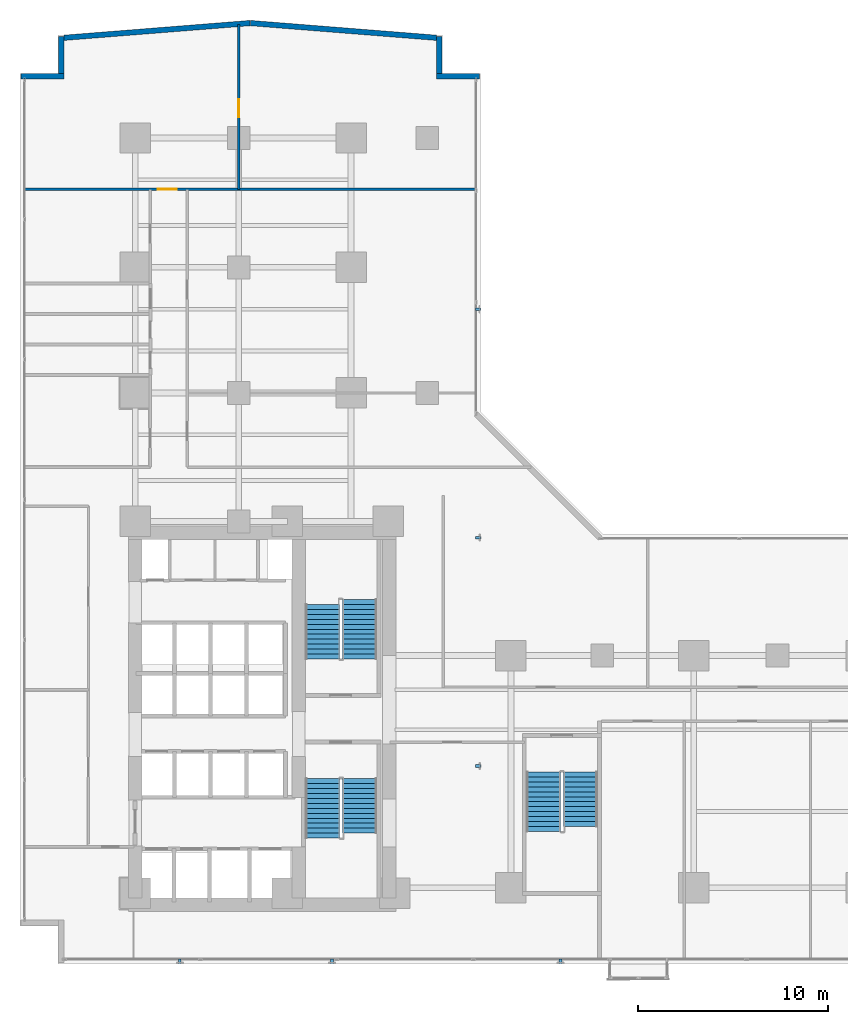
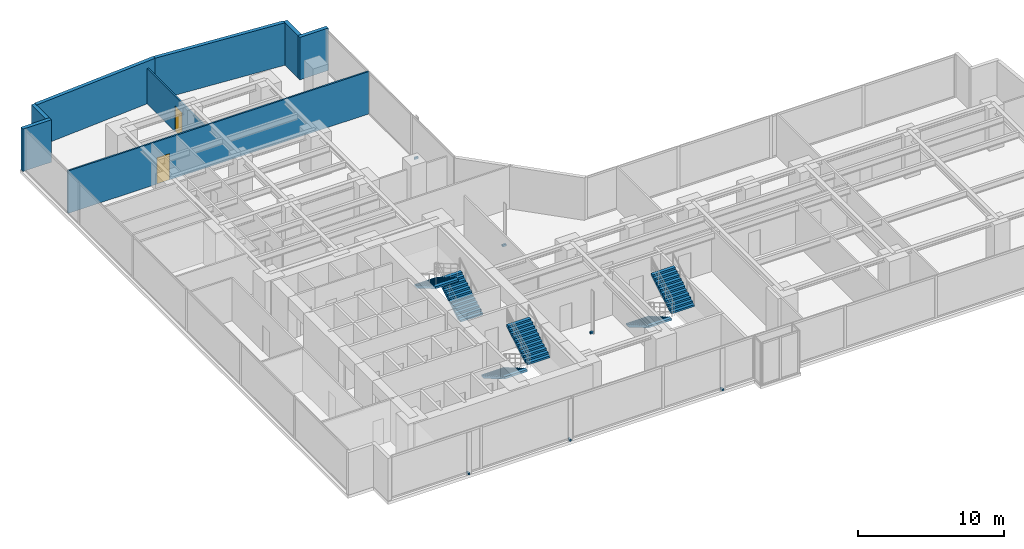
# One storey, part 26 of 31: 8 walls, 6 discrete accessories, 6 stair flights, 2 doors, 2 openings, 3 elements without a shape of their own.
"""IFC4 building model written with IfcOpenShell, lengths in metres."""

from ifc_helpers import new_model, si_unit, direction, frame, frame_2d, origin, origin_with_axes, origin_2d, place, context, subcontext, project, spatial, polyline, rectangle, outline, extrude, source, transform, mapped, material, layer, layer_set, type_object, element, fill, aggregate, save


model = new_model("IFC4")

# Units and contexts
model_context = context("Model", 3, precision=1e-05, world=origin(), true_north=direction((0.0, 1.0)))
body_context = subcontext(model_context, "Body", "Model", "MODEL_VIEW")
ifc_project = project(units=[si_unit("LENGTHUNIT", "METRE"), si_unit("AREAUNIT", "SQUARE_METRE"), si_unit("VOLUMEUNIT", "CUBIC_METRE"), si_unit("PLANEANGLEUNIT", "RADIAN"), si_unit("MASSUNIT", "GRAM", prefix="KILO")], contexts=[model_context])

# Site, building, storey
site_placement = place(None, origin())
site = spatial("IfcSite", under=ifc_project, at=site_placement, CompositionType="ELEMENT")
building_placement = place(site_placement, origin())
building = spatial("IfcBuilding", under=site, at=building_placement, Name="Kolvaren Waterfront Exchange", CompositionType="ELEMENT")
storey_placement = place(building_placement, frame((0.0, 0.0, 67.60009765625)))
storey = spatial("IfcBuildingStorey", under=building, at=storey_placement, Name="L17", CompositionType="ELEMENT", Elevation=67.60009765625)

# Walls
ifc_material_1 = material(Name="Precast concrete C40/50", Category="concrete")
ifc_layer_1 = layer(ifc_material_1, 0.280029296875, Name="Precast concrete C40/50")
ifc_layer_set_1 = layer_set([ifc_layer_1], Name="Precast concrete C40/50")
wall_type_1 = type_object("IfcWallType", Name="ARC-EXT-TERR-280", PredefinedType="SOLIDWALL", material=ifc_layer_set_1)
wall_1_placement = place(storey_placement, frame((23.300048828125, 47.840087890625, 0.0), z_axis=(0.0, 0.0, 1.0), x_axis=(1.0, 0.0, 0.0)))
element("IfcWall", 1, at=wall_1_placement, inside=storey, type_object=wall_type_1, Name="L17 notched corner spandrel pier NNE-A", PredefinedType="SOLIDWALL", context=body_context, shape_type="SweptSolid", body=[
    extrude(rectangle(XDim=2.239990234375, YDim=0.280029296875, at=frame_2d((1.1201171875, 0.0))), origin(), (0.0, 0.0, 1.0), 3.539794921875),
])
wall_2_placement = place(storey_placement, frame((23.43994140625, 47.97998046875, 0.0), z_axis=(0.0, 0.0, 1.0), x_axis=(0.0, 1.0, 0.0)))
element("IfcWall", 2, at=wall_2_placement, inside=storey, type_object=wall_type_1, Name="L17 notched corner spandrel pier NNE-B", PredefinedType="SOLIDWALL", context=body_context, shape_type="SweptSolid", body=[
    extrude(rectangle(XDim=1.9599609375, YDim=0.280029296875, at=frame_2d((0.97998046875, 0.0))), origin(), (0.0, 0.0, 1.0), 3.539794921875),
])
wall_3_placement = place(storey_placement, frame((1.4599609375, 47.840087890625, 0.0), z_axis=(0.0, 0.0, 1.0), x_axis=(1.0, 0.0, 0.0)))
element("IfcWall", 3, at=wall_3_placement, inside=storey, type_object=wall_type_1, Name="L17 notched corner spandrel pier NW-A", PredefinedType="SOLIDWALL", context=body_context, shape_type="SweptSolid", body=[
    extrude(rectangle(XDim=2.239990234375, YDim=0.280029296875, at=frame_2d((1.1201171875, 0.0))), origin(), (0.0, 0.0, 1.0), 3.539794921875),
])
wall_4_placement = place(storey_placement, frame((3.56005859375, 47.97998046875, 0.0), z_axis=(0.0, 0.0, 1.0), x_axis=(0.0, 1.0, 0.0)))
element("IfcWall", 4, at=wall_4_placement, inside=storey, type_object=wall_type_1, Name="L17 notched corner spandrel pier NW-B", PredefinedType="SOLIDWALL", context=body_context, shape_type="SweptSolid", body=[
    extrude(rectangle(XDim=1.9599609375, YDim=0.280029296875, at=frame_2d((0.97998046875, 0.0))), origin(), (0.0, 0.0, 1.0), 3.539794921875),
])
for number, where, z_axis, x_axis, name in (
    (5, (23.288330078125, 49.8642578125, 0.0), (0.0, 0.0, 1.0), (-0.996878337682, 0.078953023125, 0.0), "L17 north prow faceted facade wall 1"),
    (6, (13.49267578125, 50.638916015625, 0.0), (0.0, 0.0, 1.0), (-0.996878337682, -0.078953023125, 0.0), "L17 north prow faceted facade wall 2"),
):
    element("IfcWall", number, at=place(storey_placement, frame(where, z_axis=z_axis, x_axis=x_axis)), inside=storey, type_object=wall_type_1, Name=name, PredefinedType="SOLIDWALL", context=body_context, shape_type="SweptSolid", body=[
        extrude(rectangle(XDim=9.8115234375, YDim=0.280029296875, at=frame_2d((4.90576171875, 0.0))), origin(), (0.0, 0.0, 1.0), 3.539794921875),
    ])

# Wall, opening, door
ifc_material_2 = material(Name="Acoustic gypsum steel stud", Category="steel")
ifc_layer_2 = layer(ifc_material_2, 0.125, Name="Acoustic gypsum steel stud")
ifc_layer_set_2 = layer_set([ifc_layer_2], Name="Acoustic gypsum steel stud")
wall_type_2 = type_object("IfcWallType", Name="ARC-PART-125", PredefinedType="PARTITIONING", material=ifc_layer_set_2)
wall_5_placement = place(storey_placement, frame((1.639892578125, 41.89990234375, 0.0), z_axis=(0.0, 0.0, 1.0), x_axis=(1.0, 0.0, 0.0)))
wall_5 = element("IfcWall", 7, at=wall_5_placement, inside=storey, type_object=wall_type_2, Name="L17 interior wall PW-L17-NTIP-S", PredefinedType="PARTITIONING", context=body_context, shape_type="SweptSolid", body=[
    extrude(rectangle(XDim=23.72021484375, YDim=0.125, at=frame_2d((11.860107421875, 0.0))), origin(), (0.0, 0.0, 1.0), 3.539794921875),
])
opening_1_placement = place(wall_5_placement, frame((7.010009765625, 0.0, 0.0)))
opening_1 = element("IfcOpeningElement", 8, at=opening_1_placement, cuts=wall_5, Name="Opening D03", PredefinedType="OPENING", context=body_context, shape_type="SweptSolid", body=[
    extrude(rectangle(XDim=1.0, YDim=2.199951171875, at=frame_2d((0.5, 1.10009765625))), frame((0.0, 0.072509765625, 0.0), z_axis=(0.0, -1.0, 0.0), x_axis=(1.0, 0.0, 0.0)), (0.0, 0.0, 1.0), 0.14501953125),
])
ifc_material_3 = material(Name="Oak veneer accessible timber", Category="wood")
door_type_1 = type_object("IfcDoorType", Name="ARC-DR-1000", OperationType="NOTDEFINED", PredefinedType="DOOR", material=ifc_material_3)
door_1_placement = place(opening_1_placement, origin())
door_1 = element("IfcDoor", 9, at=door_1_placement, inside=storey, type_object=door_type_1, Name="L17 door DR-L17-NTIPW-D (D03)", OperationType="SINGLE_SWING_RIGHT", OverallHeight=2.199951171875, OverallWidth=1.0, PredefinedType="DOOR", context=body_context, shape_type="SweptSolid", body=[
    extrude(rectangle(XDim=1.0, YDim=2.199951171875, at=frame_2d((0.5, 1.10009765625))), frame((0.0, 0.02490234375, 0.0), z_axis=(0.0, -1.0, 0.0), x_axis=(1.0, 0.0, 0.0)), (0.0, 0.0, 1.0), 0.050048828125),
])
fill(opening_1, door_1)

wall_6_placement = place(storey_placement, frame((12.89990234375, 41.89990234375, 0.0), z_axis=(0.0, 0.0, 1.0), x_axis=(0.0, 1.0, 0.0)))
wall_6 = element("IfcWall", 10, at=wall_6_placement, inside=storey, type_object=wall_type_2, Name="L17 interior wall PW-L17-NTIP-DIV", PredefinedType="PARTITIONING", context=body_context, shape_type="SweptSolid", body=[
    extrude(rectangle(XDim=8.66015625, YDim=0.125, at=frame_2d((4.330078125, 0.0))), origin(), (0.0, 0.0, 1.0), 2.93994140625),
])
opening_2_placement = place(wall_6_placement, frame((3.77880859375, 0.0, 0.0)))
opening_2 = element("IfcOpeningElement", 11, at=opening_2_placement, cuts=wall_6, Name="Opening D02", PredefinedType="OPENING", context=body_context, shape_type="SweptSolid", body=[
    extrude(rectangle(XDim=0.949951171875, YDim=2.14990234375, at=frame_2d((0.47509765625, 1.074951171875))), frame((0.0, 0.072509765625, 0.0), z_axis=(0.0, -1.0, 0.0), x_axis=(1.0, 0.0, 0.0)), (0.0, 0.0, 1.0), 0.14501953125),
])
ifc_material_4 = material(Name="Oak veneer acoustic timber", Category="wood")
door_type_2 = type_object("IfcDoorType", Name="ARC-DR-950", OperationType="NOTDEFINED", PredefinedType="DOOR", material=ifc_material_4)
door_2_placement = place(opening_2_placement, origin())
door_2 = element("IfcDoor", 12, at=door_2_placement, inside=storey, type_object=door_type_2, Name="L17 door DR-L17-NTIPE-D (D02)", OperationType="SINGLE_SWING_LEFT", OverallHeight=2.14990234375, OverallWidth=0.949951171875, PredefinedType="DOOR", context=body_context, shape_type="SweptSolid", body=[
    extrude(rectangle(XDim=0.949951171875, YDim=2.14990234375, at=frame_2d((0.47509765625, 1.074951171875))), frame((0.0, 0.02490234375, 0.0), z_axis=(0.0, -1.0, 0.0), x_axis=(1.0, 0.0, 0.0)), (0.0, 0.0, 1.0), 0.050048828125),
])
fill(opening_2, door_2)

# Stair, stair flights
ifc_material_5 = material(Name="Concrete C40/50", Category="concrete")
stair_type = type_object("IfcStairType", Name="ARC-STAIR-3800", PredefinedType="HALF_TURN_STAIR", material=ifc_material_5)
stair_1_placement = place(storey_placement, origin())
stair_1 = element("IfcStair", 13, at=stair_1_placement, inside=storey, type_object=stair_type, Name="L17 Smoke-proof exit stair ST1", PredefinedType="HALF_TURN_STAIR")
stair_flight_type = type_object("IfcStairFlightType", Name="ARC-FLIGHT-3800", PredefinedType="STRAIGHT", material=ifc_material_5)
stair_flight_1_placement = place(storey_placement, frame((17.300048828125, 10.929931640625, 0.0), z_axis=(0.0, 0.0, 1.0), x_axis=(0.0, -1.0, 0.0)))
stair_flight_1 = element("IfcStairFlight", 14, at=stair_flight_1_placement, type_object=stair_flight_type, Name="ST1 flight 1", NumberOfRisers=13, NumberOfTreads=12, PredefinedType="STRAIGHT", RiserHeight=0.152, TreadLength=0.26, context=body_context, shape_type="SweptSolid", body=[
    extrude(outline(polyline([(0.0, 0.0), (0.0, 0.152099609375), (0.260009765625, 0.152099609375), (0.260009765625, 0.303955078125), (0.52001953125, 0.303955078125), (0.52001953125, 0.4560546875), (0.780029296875, 0.4560546875), (0.780029296875, 0.60791015625), (1.0400390625, 0.60791015625), (1.0400390625, 0.760009765625), (1.300048828125, 0.760009765625), (1.300048828125, 0.912109375), (1.56005859375, 0.912109375), (1.56005859375, 1.06396484375), (1.820068359375, 1.06396484375), (1.820068359375, 1.216064453125), (2.080078125, 1.216064453125), (2.080078125, 1.367919921875), (2.340087890625, 1.367919921875), (2.340087890625, 1.52001953125), (2.60009765625, 1.52001953125), (2.60009765625, 1.672119140625), (2.860107421875, 1.672119140625), (2.860107421875, 1.823974609375), (3.1201171875, 1.823974609375), (3.1201171875, 1.97607421875), (3.1201171875, 1.650390625), (0.297119140625, 0.0), (0.0, 0.0)])), frame((0.0, 0.89990234375, 0.0), z_axis=(0.0, -1.0, 0.0), x_axis=(1.0, 0.0, 0.0)), (0.0, 0.0, 1.0), 1.800048828125),
])
stair_flight_2_placement = place(storey_placement, frame((19.260009765625, 8.070068359375, 1.975830078125), z_axis=(0.0, 0.0, 1.0), x_axis=(0.0, 1.0, 0.0)))
stair_flight_2 = element("IfcStairFlight", 15, at=stair_flight_2_placement, type_object=stair_flight_type, Name="ST1 flight 2", NumberOfRisers=12, NumberOfTreads=11, PredefinedType="STRAIGHT", RiserHeight=0.152, TreadLength=0.26, context=body_context, shape_type="SweptSolid", body=[
    extrude(outline(polyline([(0.0, 0.0), (0.0, 0.152099609375), (0.260009765625, 0.152099609375), (0.260009765625, 0.303955078125), (0.52001953125, 0.303955078125), (0.52001953125, 0.4560546875), (0.780029296875, 0.4560546875), (0.780029296875, 0.60791015625), (1.0400390625, 0.60791015625), (1.0400390625, 0.760009765625), (1.300048828125, 0.760009765625), (1.300048828125, 0.912109375), (1.56005859375, 0.912109375), (1.56005859375, 1.06396484375), (1.820068359375, 1.06396484375), (1.820068359375, 1.216064453125), (2.080078125, 1.216064453125), (2.080078125, 1.367919921875), (2.340087890625, 1.367919921875), (2.340087890625, 1.52001953125), (2.60009765625, 1.52001953125), (2.60009765625, 1.672119140625), (2.860107421875, 1.672119140625), (2.860107421875, 1.823974609375), (2.860107421875, 1.498291015625), (0.297119140625, 0.0), (0.0, 0.0)])), frame((0.0, 0.89990234375, 0.0), z_axis=(0.0, -1.0, 0.0), x_axis=(1.0, 0.0, 0.0)), (0.0, 0.0, 1.0), 1.800048828125),
])
aggregate(stair_1, [stair_flight_1, stair_flight_2])

stair_2_placement = place(storey_placement, origin())
stair_2 = element("IfcStair", 16, at=stair_2_placement, inside=storey, type_object=stair_type, Name="L17 Smoke-proof exit stair ST2", PredefinedType="HALF_TURN_STAIR")
stair_flight_3_placement = place(storey_placement, frame((19.260009765625, 17.219970703125, 0.0), z_axis=(0.0, 0.0, 1.0), x_axis=(0.0, 1.0, 0.0)))
stair_flight_3 = element("IfcStairFlight", 17, at=stair_flight_3_placement, type_object=stair_flight_type, Name="ST2 flight 1", NumberOfRisers=13, NumberOfTreads=12, PredefinedType="STRAIGHT", RiserHeight=0.152, TreadLength=0.26, context=body_context, shape_type="SweptSolid", body=[
    extrude(outline(polyline([(0.0, 0.0), (0.0, 0.152099609375), (0.260009765625, 0.152099609375), (0.260009765625, 0.303955078125), (0.52001953125, 0.303955078125), (0.52001953125, 0.4560546875), (0.780029296875, 0.4560546875), (0.780029296875, 0.60791015625), (1.0400390625, 0.60791015625), (1.0400390625, 0.760009765625), (1.300048828125, 0.760009765625), (1.300048828125, 0.912109375), (1.56005859375, 0.912109375), (1.56005859375, 1.06396484375), (1.820068359375, 1.06396484375), (1.820068359375, 1.216064453125), (2.080078125, 1.216064453125), (2.080078125, 1.367919921875), (2.340087890625, 1.367919921875), (2.340087890625, 1.52001953125), (2.60009765625, 1.52001953125), (2.60009765625, 1.672119140625), (2.860107421875, 1.672119140625), (2.860107421875, 1.823974609375), (3.1201171875, 1.823974609375), (3.1201171875, 1.97607421875), (3.1201171875, 1.650390625), (0.297119140625, 0.0), (0.0, 0.0)])), frame((0.0, 0.89990234375, 0.0), z_axis=(0.0, -1.0, 0.0), x_axis=(1.0, 0.0, 0.0)), (0.0, 0.0, 1.0), 1.800048828125),
])
stair_flight_4_placement = place(storey_placement, frame((17.300048828125, 20.080078125, 1.975830078125), z_axis=(0.0, 0.0, 1.0), x_axis=(0.0, -1.0, 0.0)))
stair_flight_4 = element("IfcStairFlight", 18, at=stair_flight_4_placement, type_object=stair_flight_type, Name="ST2 flight 2", NumberOfRisers=12, NumberOfTreads=11, PredefinedType="STRAIGHT", RiserHeight=0.152, TreadLength=0.26, context=body_context, shape_type="SweptSolid", body=[
    extrude(outline(polyline([(0.0, 0.0), (0.0, 0.152099609375), (0.260009765625, 0.152099609375), (0.260009765625, 0.303955078125), (0.52001953125, 0.303955078125), (0.52001953125, 0.4560546875), (0.780029296875, 0.4560546875), (0.780029296875, 0.60791015625), (1.0400390625, 0.60791015625), (1.0400390625, 0.760009765625), (1.300048828125, 0.760009765625), (1.300048828125, 0.912109375), (1.56005859375, 0.912109375), (1.56005859375, 1.06396484375), (1.820068359375, 1.06396484375), (1.820068359375, 1.216064453125), (2.080078125, 1.216064453125), (2.080078125, 1.367919921875), (2.340087890625, 1.367919921875), (2.340087890625, 1.52001953125), (2.60009765625, 1.52001953125), (2.60009765625, 1.672119140625), (2.860107421875, 1.672119140625), (2.860107421875, 1.823974609375), (2.860107421875, 1.498291015625), (0.297119140625, 0.0), (0.0, 0.0)])), frame((0.0, 0.89990234375, 0.0), z_axis=(0.0, -1.0, 0.0), x_axis=(1.0, 0.0, 0.0)), (0.0, 0.0, 1.0), 1.800048828125),
])
aggregate(stair_2, [stair_flight_3, stair_flight_4])

stair_3_placement = place(storey_placement, origin())
stair_3 = element("IfcStair", 19, at=stair_3_placement, inside=storey, type_object=stair_type, Name="L17 Exit stair ST3", PredefinedType="HALF_TURN_STAIR")
stair_flight_5_placement = place(storey_placement, frame((28.89990234375, 11.280029296875, 0.0), z_axis=(0.0, 0.0, 1.0), x_axis=(0.0, -1.0, 0.0)))
stair_flight_5 = element("IfcStairFlight", 20, at=stair_flight_5_placement, type_object=stair_flight_type, Name="ST3 flight 1", NumberOfRisers=13, NumberOfTreads=12, PredefinedType="STRAIGHT", RiserHeight=0.152, TreadLength=0.26, context=body_context, shape_type="SweptSolid", body=[
    extrude(outline(polyline([(0.0, 0.0), (0.0, 0.152099609375), (0.260009765625, 0.152099609375), (0.260009765625, 0.303955078125), (0.52001953125, 0.303955078125), (0.52001953125, 0.4560546875), (0.780029296875, 0.4560546875), (0.780029296875, 0.60791015625), (1.0400390625, 0.60791015625), (1.0400390625, 0.760009765625), (1.300048828125, 0.760009765625), (1.300048828125, 0.912109375), (1.56005859375, 0.912109375), (1.56005859375, 1.06396484375), (1.820068359375, 1.06396484375), (1.820068359375, 1.216064453125), (2.080078125, 1.216064453125), (2.080078125, 1.367919921875), (2.340087890625, 1.367919921875), (2.340087890625, 1.52001953125), (2.60009765625, 1.52001953125), (2.60009765625, 1.672119140625), (2.860107421875, 1.672119140625), (2.860107421875, 1.823974609375), (3.1201171875, 1.823974609375), (3.1201171875, 1.97607421875), (3.1201171875, 1.650390625), (0.297119140625, 0.0), (0.0, 0.0)])), frame((0.0, 0.89990234375, 0.0), z_axis=(0.0, -1.0, 0.0), x_axis=(1.0, 0.0, 0.0)), (0.0, 0.0, 1.0), 1.800048828125),
])
stair_flight_6_placement = place(storey_placement, frame((30.860107421875, 8.419921875, 1.975830078125), z_axis=(0.0, 0.0, 1.0), x_axis=(0.0, 1.0, 0.0)))
stair_flight_6 = element("IfcStairFlight", 21, at=stair_flight_6_placement, type_object=stair_flight_type, Name="ST3 flight 2", NumberOfRisers=12, NumberOfTreads=11, PredefinedType="STRAIGHT", RiserHeight=0.152, TreadLength=0.26, context=body_context, shape_type="SweptSolid", body=[
    extrude(outline(polyline([(0.0, 0.0), (0.0, 0.152099609375), (0.260009765625, 0.152099609375), (0.260009765625, 0.303955078125), (0.52001953125, 0.303955078125), (0.52001953125, 0.4560546875), (0.780029296875, 0.4560546875), (0.780029296875, 0.60791015625), (1.0400390625, 0.60791015625), (1.0400390625, 0.760009765625), (1.300048828125, 0.760009765625), (1.300048828125, 0.912109375), (1.56005859375, 0.912109375), (1.56005859375, 1.06396484375), (1.820068359375, 1.06396484375), (1.820068359375, 1.216064453125), (2.080078125, 1.216064453125), (2.080078125, 1.367919921875), (2.340087890625, 1.367919921875), (2.340087890625, 1.52001953125), (2.60009765625, 1.52001953125), (2.60009765625, 1.672119140625), (2.860107421875, 1.672119140625), (2.860107421875, 1.823974609375), (2.860107421875, 1.498291015625), (0.297119140625, 0.0), (0.0, 0.0)])), frame((0.0, 0.89990234375, 0.0), z_axis=(0.0, -1.0, 0.0), x_axis=(1.0, 0.0, 0.0)), (0.0, 0.0, 1.0), 1.800048828125),
])
aggregate(stair_3, [stair_flight_5, stair_flight_6])

# Discrete accessories
ifc_material_6 = material(Name="Stainless steel 316", Category="steel")
discrete_accessory_type = type_object("IfcDiscreteAccessoryType", Name="ARC-BRK-FIN", PredefinedType="BRACKET", material=ifc_material_6)
shared_shape = source(origin_with_axes(), body_context, "Body", "SweptSolid", [
    extrude(rectangle(XDim=0.280029296875, YDim=0.139892578125, at=origin_2d()), origin(), (0.0, 0.0, 1.0), 0.159912109375),
])
for number, where, z_axis, x_axis, name in (
    (22, (9.800048828125, 1.320068359375, 0.0), (0.0, 0.0, 1.0), (0.0, -1.0, 0.0), "L17 bronze fin anchor bracket FIN-L17-S1"),
    (23, (17.800048828125, 1.320068359375, 0.0), (0.0, 0.0, 1.0), (0.0, -1.0, 0.0), "L17 bronze fin anchor bracket FIN-L17-S2"),
    (24, (29.800048828125, 1.320068359375, 0.0), (0.0, 0.0, 1.0), (0.0, -1.0, 0.0), "L17 bronze fin anchor bracket FIN-L17-S3"),
    (25, (25.47998046875, 11.60009765625, 0.0), (0.0, 0.0, 1.0), (1.0, 0.0, 0.0), "L17 bronze fin anchor bracket FIN-L17-E1"),
    (26, (25.47998046875, 23.60009765625, 0.0), (0.0, 0.0, 1.0), (1.0, 0.0, 0.0), "L17 bronze fin anchor bracket FIN-L17-E2"),
    (27, (25.47998046875, 35.60009765625, 0.0), (0.0, 0.0, 1.0), (1.0, 0.0, 0.0), "L17 bronze fin anchor bracket FIN-L17-E3"),
):
    element("IfcDiscreteAccessory", number, at=place(storey_placement, frame(where, z_axis=z_axis, x_axis=x_axis)), inside=storey, type_object=discrete_accessory_type, Name=name, PredefinedType="BRACKET", context=body_context, shape_type="MappedRepresentation", body=[
        mapped(shared_shape, transform((0.0, 0.0, 0.0), x_axis=(1.0, 0.0, 0.0), y_axis=(0.0, 1.0, 0.0), z_axis=(0.0, 0.0, 1.0), scale=1.0)),
    ])

save(model, "model.ifc")
